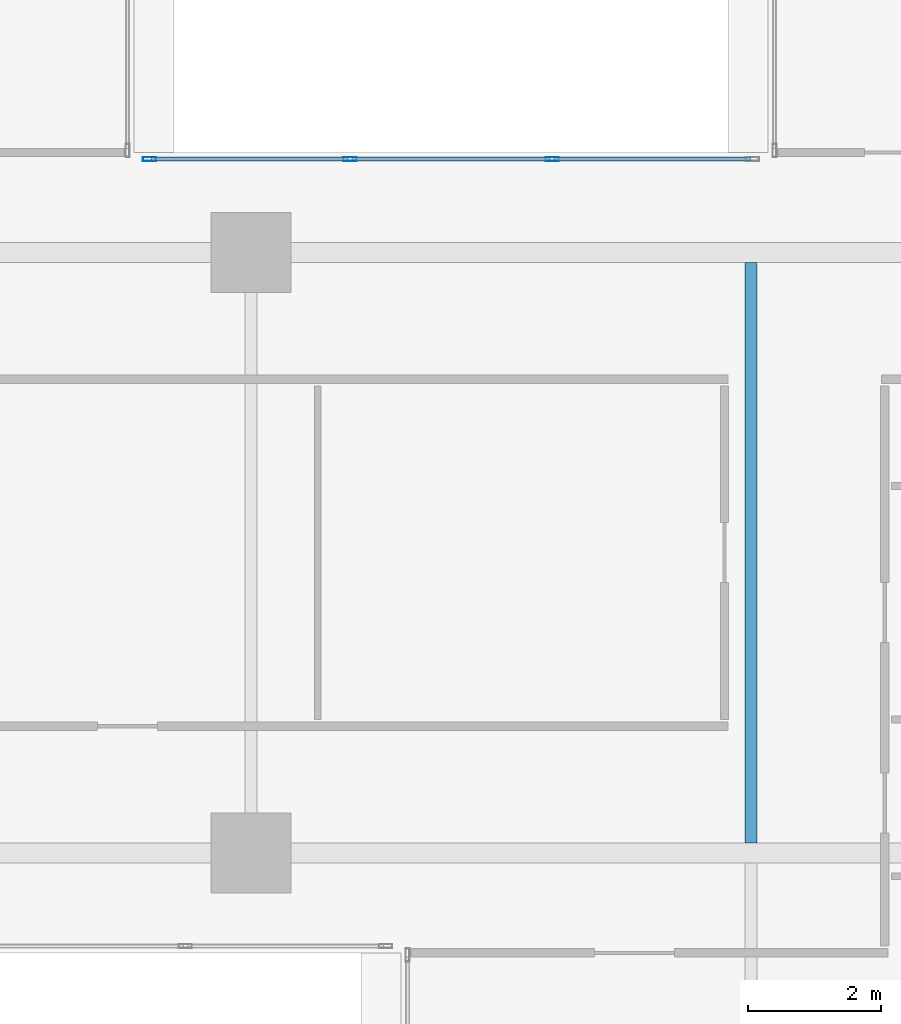
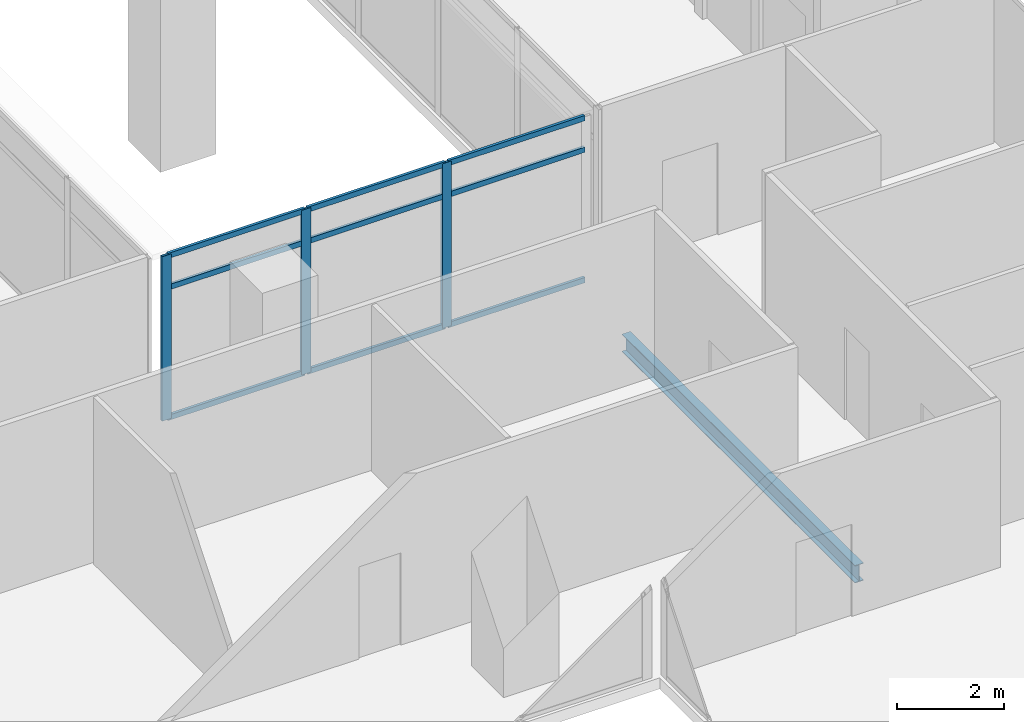
# One storey, part 14 of 40: 12 members, 1 beam, 1 element without a shape of its own.
"""IFC4 building model written with IfcOpenShell, lengths in metres."""

from ifc_helpers import new_model, si_unit, direction, frame, origin, origin_2d, place, context, subcontext, project, spatial, hollow_rectangle, i_section, extrude, source, transform, mapped, material, material_profile, profile_set, type_object, element, aggregate, save


model = new_model("IFC4")

# Units and contexts
model_context = context("Model", 3, precision=1e-05, world=origin(), true_north=direction((0.0, 1.0)))
body_context = subcontext(model_context, "Body", "Model", "MODEL_VIEW")
ifc_project = project(units=[si_unit("LENGTHUNIT", "METRE"), si_unit("AREAUNIT", "SQUARE_METRE"), si_unit("VOLUMEUNIT", "CUBIC_METRE"), si_unit("PLANEANGLEUNIT", "RADIAN"), si_unit("MASSUNIT", "GRAM", prefix="KILO")], contexts=[model_context])

# Site, building, storey
site_placement = place(None, origin())
site = spatial("IfcSite", under=ifc_project, at=site_placement, CompositionType="ELEMENT")
building_placement = place(site_placement, origin())
building = spatial("IfcBuilding", under=site, at=building_placement, Name="Khomas Fold Tower", CompositionType="ELEMENT")
storey_placement = place(building_placement, frame((0.0, 0.0, 176.699951171875)))
storey = spatial("IfcBuildingStorey", under=building, at=storey_placement, Name="L38", CompositionType="ELEMENT", Elevation=176.699951171875)

# Beam
ifc_material_1 = material(Name="Steel S355", Category="steel")
ifc_material_profile_1 = material_profile(ifc_material_1, i_section(OverallWidth=0.179931640625, OverallDepth=0.39990234375, WebThickness=0.008544921875, FlangeThickness=0.013427734375, at=origin_2d()), Name="IPE 400")
ifc_profile_set_1 = profile_set([ifc_material_profile_1], Name="Steel S355")
beam_type = type_object("IfcBeamType", Name="IPE 400 beam JB3", PredefinedType="BEAM", material=ifc_profile_set_1)
shared_shape_1 = source(origin(), body_context, "Body", "SweptSolid", [
    extrude(i_section(OverallWidth=0.179931640625, OverallDepth=0.39990234375, WebThickness=0.008544921875, FlangeThickness=0.013427734375, at=origin_2d()), origin(), (0.0, 0.0, 1.0), 8.7001953125),
])
beam_placement = place(storey_placement, frame((42.0, 22.64990234375, -0.449951171875), z_axis=(0.0, 1.0, 0.0), x_axis=(-1.0, 0.0, 0.0)))
element("IfcBeam", 1, at=beam_placement, inside=storey, type_object=beam_type, Name="JB3", PredefinedType="BEAM", context=body_context, shape_type="MappedRepresentation", body=[
    mapped(shared_shape_1, transform((0.0, 0.0, 0.0))),
])

# Curtain wall, members
ifc_material_2 = material(Name="Aluminium framed double glazing", Category="aluminium")
curtain_wall_type = type_object("IfcCurtainWallType", Name="Notch glazing GN-CW", PredefinedType="NOTDEFINED", material=ifc_material_2)
curtain_wall_placement = place(storey_placement, origin())
curtain_wall = element("IfcCurtainWall", 2, at=curtain_wall_placement, inside=storey, type_object=curtain_wall_type, Name="Notch glazing run", PredefinedType="NOTDEFINED")
ifc_material_3 = material(Name="Aluminium", Category="aluminium")
ifc_material_profile_2 = material_profile(ifc_material_3, hollow_rectangle(XDim=0.06005859375, YDim=0.199951171875, WallThickness=0.00390625, at=origin_2d()), Name="Notch glazing mullion GN-CW-M")
ifc_profile_set_2 = profile_set([ifc_material_profile_2], Name="Aluminium")
member_type_1 = type_object("IfcMemberType", Name="Notch glazing mullion GN-CW-M", PredefinedType="MULLION", material=ifc_profile_set_2)
shared_shape_2 = source(origin(), body_context, "Body", "SweptSolid", [
    extrude(hollow_rectangle(XDim=0.06005859375, YDim=0.199951171875, WallThickness=0.00390625, at=origin_2d()), origin(), (0.0, 0.0, 1.0), 3.75),
])
member_1_placement = place(storey_placement, frame((39.0166015625, 32.89990234375, 0.0), z_axis=(0.0, 0.0, 1.0), x_axis=(0.0, -1.0, 0.0)))
member_1 = element("IfcMember", 3, at=member_1_placement, type_object=member_type_1, Name="GN-CW mullion 2", PredefinedType="MULLION", context=body_context, shape_type="MappedRepresentation", body=[
    mapped(shared_shape_2, transform((0.0, 0.0, 0.0))),
])
member_2_placement = place(storey_placement, frame((35.9833984375, 32.89990234375, 0.0), z_axis=(0.0, 0.0, 1.0), x_axis=(0.0, -1.0, 0.0)))
member_2 = element("IfcMember", 4, at=member_2_placement, type_object=member_type_1, Name="GN-CW mullion 3", PredefinedType="MULLION", context=body_context, shape_type="MappedRepresentation", body=[
    mapped(shared_shape_2, transform((0.0, 0.0, 0.0))),
])
member_3_placement = place(storey_placement, frame((32.97998046875, 32.89990234375, 0.0), z_axis=(0.0, 0.0, 1.0), x_axis=(0.0, -1.0, 0.0)))
member_3 = element("IfcMember", 5, at=member_3_placement, type_object=member_type_1, Name="GN-CW mullion 4", PredefinedType="MULLION", context=body_context, shape_type="MappedRepresentation", body=[
    mapped(shared_shape_2, transform((0.0, 0.0, 0.0))),
])
ifc_material_4 = material(Name="Aluminium", Category="aluminium")
ifc_material_profile_3 = material_profile(ifc_material_4, hollow_rectangle(XDim=0.06005859375, YDim=0.1201171875, WallThickness=0.00390625, at=origin_2d()), Name="Notch glazing transom GN-CW-T")
ifc_profile_set_3 = profile_set([ifc_material_profile_3], Name="Aluminium")
member_type_2 = type_object("IfcMemberType", Name="Notch glazing transom GN-CW-T", PredefinedType="USERDEFINED", material=ifc_profile_set_3)
shared_shape_3 = source(origin(), body_context, "Body", "SweptSolid", [
    extrude(hollow_rectangle(XDim=0.06005859375, YDim=0.1201171875, WallThickness=0.00390625, at=origin_2d()), origin(), (0.0, 0.0, 1.0), 2.943359375),
])
member_4_placement = place(storey_placement, frame((41.989990234375, 32.89990234375, 0.030029296875), z_axis=(-1.0, 0.0, 0.0), x_axis=(0.0, -1.0, 0.0)))
member_4 = element("IfcMember", 6, at=member_4_placement, type_object=member_type_2, Name="GN-CW transom 1.1", ObjectType="TRANSOM", PredefinedType="USERDEFINED", context=body_context, shape_type="MappedRepresentation", body=[
    mapped(shared_shape_3, transform((0.0, 0.0, 0.0))),
])
member_5_placement = place(storey_placement, frame((41.989990234375, 32.89990234375, 3.0), z_axis=(-1.0, 0.0, 0.0), x_axis=(0.0, -1.0, 0.0)))
member_5 = element("IfcMember", 7, at=member_5_placement, type_object=member_type_2, Name="GN-CW transom 1.2", ObjectType="TRANSOM", PredefinedType="USERDEFINED", context=body_context, shape_type="MappedRepresentation", body=[
    mapped(shared_shape_3, transform((0.0, 0.0, 0.0))),
])
member_6_placement = place(storey_placement, frame((41.989990234375, 32.89990234375, 3.719970703125), z_axis=(-1.0, 0.0, 0.0), x_axis=(0.0, -1.0, 0.0)))
member_6 = element("IfcMember", 8, at=member_6_placement, type_object=member_type_2, Name="GN-CW transom 1.3", ObjectType="TRANSOM", PredefinedType="USERDEFINED", context=body_context, shape_type="MappedRepresentation", body=[
    mapped(shared_shape_3, transform((0.0, 0.0, 0.0))),
])
member_7_placement = place(storey_placement, frame((35.953369140625, 32.89990234375, 0.030029296875), z_axis=(-1.0, 0.0, 0.0), x_axis=(0.0, -1.0, 0.0)))
member_7 = element("IfcMember", 9, at=member_7_placement, type_object=member_type_2, Name="GN-CW transom 3.1", ObjectType="TRANSOM", PredefinedType="USERDEFINED", context=body_context, shape_type="MappedRepresentation", body=[
    mapped(shared_shape_3, transform((0.0, 0.0, 0.0))),
])
member_8_placement = place(storey_placement, frame((35.953369140625, 32.89990234375, 3.0), z_axis=(-1.0, 0.0, 0.0), x_axis=(0.0, -1.0, 0.0)))
member_8 = element("IfcMember", 10, at=member_8_placement, type_object=member_type_2, Name="GN-CW transom 3.2", ObjectType="TRANSOM", PredefinedType="USERDEFINED", context=body_context, shape_type="MappedRepresentation", body=[
    mapped(shared_shape_3, transform((0.0, 0.0, 0.0))),
])
member_9_placement = place(storey_placement, frame((35.953369140625, 32.89990234375, 3.719970703125), z_axis=(-1.0, 0.0, 0.0), x_axis=(0.0, -1.0, 0.0)))
member_9 = element("IfcMember", 11, at=member_9_placement, type_object=member_type_2, Name="GN-CW transom 3.3", ObjectType="TRANSOM", PredefinedType="USERDEFINED", context=body_context, shape_type="MappedRepresentation", body=[
    mapped(shared_shape_3, transform((0.0, 0.0, 0.0))),
])
shared_shape_4 = source(origin(), body_context, "Body", "SweptSolid", [
    extrude(hollow_rectangle(XDim=0.06005859375, YDim=0.1201171875, WallThickness=0.00390625, at=origin_2d()), origin(), (0.0, 0.0, 1.0), 2.97314453125),
])
member_10_placement = place(storey_placement, frame((38.986572265625, 32.89990234375, 0.030029296875), z_axis=(-1.0, 0.0, 0.0), x_axis=(0.0, -1.0, 0.0)))
member_10 = element("IfcMember", 12, at=member_10_placement, type_object=member_type_2, Name="GN-CW transom 2.1", ObjectType="TRANSOM", PredefinedType="USERDEFINED", context=body_context, shape_type="MappedRepresentation", body=[
    mapped(shared_shape_4, transform((0.0, 0.0, 0.0))),
])
member_11_placement = place(storey_placement, frame((38.986572265625, 32.89990234375, 3.0), z_axis=(-1.0, 0.0, 0.0), x_axis=(0.0, -1.0, 0.0)))
member_11 = element("IfcMember", 13, at=member_11_placement, type_object=member_type_2, Name="GN-CW transom 2.2", ObjectType="TRANSOM", PredefinedType="USERDEFINED", context=body_context, shape_type="MappedRepresentation", body=[
    mapped(shared_shape_4, transform((0.0, 0.0, 0.0))),
])
member_12_placement = place(storey_placement, frame((38.986572265625, 32.89990234375, 3.719970703125), z_axis=(-1.0, 0.0, 0.0), x_axis=(0.0, -1.0, 0.0)))
member_12 = element("IfcMember", 14, at=member_12_placement, type_object=member_type_2, Name="GN-CW transom 2.3", ObjectType="TRANSOM", PredefinedType="USERDEFINED", context=body_context, shape_type="MappedRepresentation", body=[
    mapped(shared_shape_4, transform((0.0, 0.0, 0.0))),
])
aggregate(curtain_wall, [member_1, member_2, member_3, member_4, member_5, member_6, member_10, member_11, member_12, member_7, member_8, member_9])

save(model, "model.ifc")
